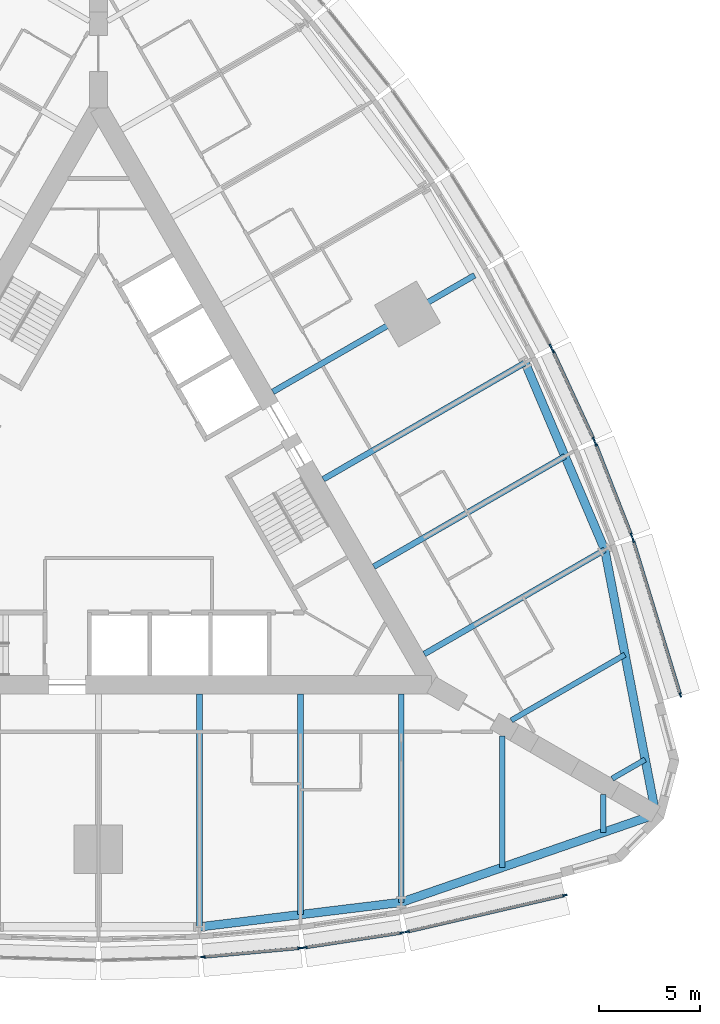
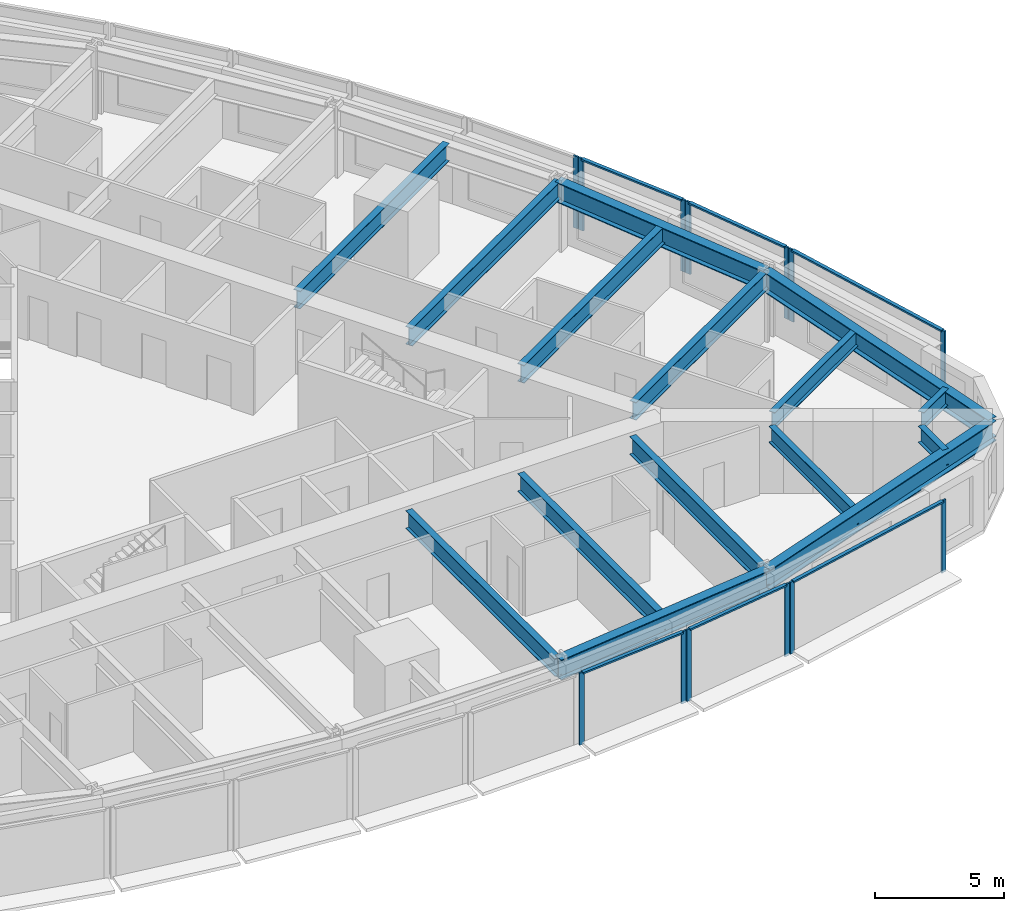
# One storey, part 3 of 14: 19 members, 15 beams, 7 elements without a shape of their own.
"""IFC4 building model written with IfcOpenShell, lengths in metres."""

import ifcopenshell
import ifcopenshell.guid

model = None  # the IFC model being written
_history = None  # IfcOwnerHistory: only IFC2X3 demands one
_inside = {}  # id of a spatial element -> (the spatial element, [elements in it])
_under = {}  # id of a project, library or spatial element -> (it, [spatial elements below it])
_declared = {}  # id of a project -> (the project, [libraries it declares])
_typed = {}  # id of a type object -> (the type object, [elements of that type])
_made_of = {}  # id of a material, layer set ... -> (it, [elements and type objects made of it])


def new_model(schema):
    """Start an empty IFC model of exactly this schema.

    Asked for "IFC4X3", IfcOpenShell would pick the latest addendum, in which some entities
    have other attributes; the version numbers below select the first issue.
    IFC2X3 requires an IfcOwnerHistory on every rooted entity: one is made here for all.
    """
    global model, _history
    if schema == "IFC4X3":
        model = ifcopenshell.file(schema_version=(4, 3, 0, 0))
    else:
        model = ifcopenshell.file(schema=schema)
    _inside.clear()
    _under.clear()
    _declared.clear()
    _typed.clear()
    _made_of.clear()
    _history = None
    if model.schema == "IFC2X3":
        org = make("IfcOrganization", Name="unknown")
        user = make(
            "IfcPersonAndOrganization",
            ThePerson=make("IfcPerson", FamilyName="unknown"),
            TheOrganization=org,
        )
        app = make(
            "IfcApplication",
            ApplicationDeveloper=org,
            Version="unknown",
            ApplicationFullName="unknown",
            ApplicationIdentifier="unknown",
        )
        _history = make(
            "IfcOwnerHistory",
            OwningUser=user,
            OwningApplication=app,
            ChangeAction="ADDED",
            CreationDate=0,
        )
    return model


def make(cls, **values):
    """One entity of the class cls with the attributes given. An attribute that is None is left unset."""
    return model.create_entity(
        cls, **{name: value for name, value in values.items() if value is not None}
    )


def rooted(cls, **values):
    """An entity with a GlobalId (a new one), such as an element, a storey or a relation."""
    return make(cls, GlobalId=ifcopenshell.guid.new(), OwnerHistory=_history, **values)


def si_unit(unit_type, name, prefix=None):
    """IfcSIUnit, for example si_unit("LENGTHUNIT", "METRE", prefix="MILLI")."""
    return make("IfcSIUnit", UnitType=unit_type, Prefix=prefix, Name=name)


def assignment(units):
    """IfcUnitAssignment: the units of a project."""
    return None if units is None else make("IfcUnitAssignment", Units=units)


def point(xyz):
    """IfcCartesianPoint."""
    return None if xyz is None else make("IfcCartesianPoint", Coordinates=xyz)


def direction(xyz):
    """IfcDirection."""
    return None if xyz is None else make("IfcDirection", DirectionRatios=xyz)


def frame(location, z_axis=None, x_axis=None):
    """IfcAxis2Placement3D, a coordinate frame: its origin and axes. An axis left out is left unset."""
    return make(
        "IfcAxis2Placement3D",
        Location=point(location),
        Axis=direction(z_axis),
        RefDirection=direction(x_axis),
    )


def frame_2d(location, x_axis=None):
    """IfcAxis2Placement2D, a coordinate frame in the plane: its origin and x axis."""
    return make(
        "IfcAxis2Placement2D", Location=point(location), RefDirection=direction(x_axis)
    )


def origin():
    """The frame at (0, 0, 0) with its axes left unset."""
    return frame((0.0, 0.0, 0.0))


def origin_2d():
    """The frame at (0, 0) in the plane with its x axis left unset."""
    return frame_2d((0.0, 0.0))


def place(relative_to, where):
    """IfcLocalPlacement: puts the frame where relative to a parent placement (None: the world)."""
    return make(
        "IfcLocalPlacement", PlacementRelTo=relative_to, RelativePlacement=where
    )


def context(
    kind, dimensions, precision=None, world=None, true_north=None, identifier=None
):
    """IfcGeometricRepresentationContext, for example the 3D "Model" context."""
    return make(
        "IfcGeometricRepresentationContext",
        ContextIdentifier=identifier,
        ContextType=kind,
        CoordinateSpaceDimension=dimensions,
        Precision=precision,
        WorldCoordinateSystem=world,
        TrueNorth=true_north,
    )


def subcontext(parent, identifier, kind, view, scale=None):
    """IfcGeometricRepresentationSubContext, for example "Body" below "Model"."""
    return make(
        "IfcGeometricRepresentationSubContext",
        ContextIdentifier=identifier,
        ContextType=kind,
        ParentContext=parent,
        TargetScale=scale,
        TargetView=view,
    )


def project(units=None, contexts=None):
    """IfcProject with its units and contexts."""
    return rooted(
        "IfcProject",
        Name="project",
        RepresentationContexts=contexts,
        UnitsInContext=assignment(units),
    )


def spatial(cls, under=None, at=None, **own):
    """A site, building, storey or space (cls), placed at a placement, below another one or the project."""
    s = rooted(cls, ObjectPlacement=at, **own)
    if under is not None:
        _under.setdefault(under.id(), (under, []))[1].append(s)
    return s


def profile(cls, at=None, kind="AREA", **sizes):
    """A parametric profile (cls). Its sizes go by their IFC names, for example OverallWidth=200.0."""
    return make(cls, ProfileType=kind, Position=at, **sizes)


def rectangle(**sizes):
    """IfcRectangleProfileDef."""
    return profile("IfcRectangleProfileDef", **sizes)


def i_section(**sizes):
    """IfcIShapeProfileDef."""
    return profile("IfcIShapeProfileDef", **sizes)


def extrude(swept, where, along, depth):
    """IfcExtrudedAreaSolid: the profile swept, set in the frame where, extruded along a direction by depth."""
    return make(
        "IfcExtrudedAreaSolid",
        SweptArea=swept,
        Position=where,
        ExtrudedDirection=direction(along),
        Depth=depth,
    )


def shape(context_of_items, identifier, shape_type, items):
    """IfcShapeRepresentation: the items that make up one representation, for example the "Body"."""
    return make(
        "IfcShapeRepresentation",
        ContextOfItems=context_of_items,
        RepresentationIdentifier=identifier,
        RepresentationType=shape_type,
        Items=items,
    )


def material(Name=None, Category=None):
    """IfcMaterial."""
    return make("IfcMaterial", Name=Name, Category=Category)


def material_profile(
    of_material, cross_section, Name=None, Category=None, Priority=None
):
    """IfcMaterialProfile: a cross section and its material."""
    return make(
        "IfcMaterialProfile",
        Name=Name,
        Material=of_material,
        Profile=cross_section,
        Priority=Priority,
        Category=Category,
    )


def profile_set(profiles, Name=None, composite=None):
    """IfcMaterialProfileSet."""
    return make(
        "IfcMaterialProfileSet",
        Name=Name,
        MaterialProfiles=profiles,
        CompositeProfile=composite,
    )


def made_of(thing, what):
    """Note that an element or type object is made of a material, layer set ...; save() writes the relation."""
    if what is not None:
        _made_of.setdefault(what.id(), (what, []))[1].append(thing)
    return thing


def type_object(cls, material=None, **own):
    """A type object (cls), such as IfcWallType, which elements share."""
    return made_of(rooted(cls, **own), material)


def element(
    cls,
    number,
    at=None,
    inside=None,
    cuts=None,
    type_object=None,
    material=None,
    context=None,
    identifier="Body",
    shape_type=None,
    held_by="IfcProductDefinitionShape",
    body=None,
    shapes=None,
    **own,
):
    """One element of the class cls, such as IfcWall. Its Tag is "e" and its number.

    at: its placement. inside: the storey or other place that contains it. cuts: it is an
    opening in that element (IfcRelVoidsElement). A single representation is given by context,
    identifier, shape_type and body (its items); several are given by shapes. held_by: the class
    of the entity that holds the representations. save() writes the other relations.
    """
    e = rooted(cls, Tag="e%d" % number, ObjectPlacement=at, **own)
    if body is not None:
        shapes = [shape(context, identifier, shape_type, body)]
    if shapes is not None:
        e.Representation = make(held_by, Representations=shapes)
    if inside is not None:
        _inside.setdefault(inside.id(), (inside, []))[1].append(e)
    if cuts is not None:
        rooted(
            "IfcRelVoidsElement", RelatingBuildingElement=cuts, RelatedOpeningElement=e
        )
    if type_object is not None:
        _typed.setdefault(type_object.id(), (type_object, []))[1].append(e)
    return made_of(e, material)


def aggregate(whole, parts):
    """IfcRelAggregates: a whole, such as a stair, and the parts it consists of."""
    return rooted("IfcRelAggregates", RelatingObject=whole, RelatedObjects=parts)


def save(model, path):
    """Write the relations noted so far, then the file.

    IfcRelAggregates (storeys below a building ...), IfcRelContainedInSpatialStructure (elements
    in a storey), IfcRelDefinesByType, IfcRelAssociatesMaterial and IfcRelDeclares: one each for
    every whole, place, type object, material and project.
    """
    for whole, parts in _under.values():
        aggregate(whole, parts)
    for where, things in _inside.values():
        rooted(
            "IfcRelContainedInSpatialStructure",
            RelatedElements=things,
            RelatingStructure=where,
        )
    for kind, things in _typed.values():
        rooted("IfcRelDefinesByType", RelatedObjects=things, RelatingType=kind)
    for what, things in _made_of.values():
        rooted("IfcRelAssociatesMaterial", RelatedObjects=things, RelatingMaterial=what)
    for by, libraries in _declared.values():
        rooted("IfcRelDeclares", RelatingContext=by, RelatedDefinitions=libraries)
    model.write(path)


model = new_model("IFC4")

# Units and contexts
model_context = context("Model", 3, precision=1e-05, world=origin(), true_north=direction((0.0, 1.0)))
body_context = subcontext(model_context, "Body", "Model", "MODEL_VIEW")
ifc_project = project(units=[si_unit("LENGTHUNIT", "METRE"), si_unit("AREAUNIT", "SQUARE_METRE"), si_unit("VOLUMEUNIT", "CUBIC_METRE"), si_unit("PLANEANGLEUNIT", "RADIAN"), si_unit("MASSUNIT", "GRAM", prefix="KILO")], contexts=[model_context])

# Site, building, storey
site_placement = place(None, origin())
site = spatial("IfcSite", under=ifc_project, at=site_placement, CompositionType="ELEMENT")
building_placement = place(site_placement, origin())
building = spatial("IfcBuilding", under=site, at=building_placement, Name="Trikona Tower", CompositionType="ELEMENT")
storey_placement = place(building_placement, frame((0.0, 0.0, 45.5)))
storey = spatial("IfcBuildingStorey", under=building, at=storey_placement, Name="L10", CompositionType="ELEMENT", Elevation=45.5)

# Curtain wall, members
ifc_material_1 = material(Name="Aluminium curtain wall system", Category="aluminium")
curtain_wall_type = type_object("IfcCurtainWallType", Name="Curtain wall DS1", PredefinedType="NOTDEFINED", material=ifc_material_1)
curtain_wall_1_placement = place(storey_placement, origin())
curtain_wall_1 = element("IfcCurtainWall", 1, at=curtain_wall_1_placement, inside=storey, type_object=curtain_wall_type, Name="Curtain wall DS1 L10", PredefinedType="NOTDEFINED")
ifc_material_2 = material(Name="Aluminium mullion, pale anodised", Category="aluminium")
ifc_material_profile_1 = material_profile(ifc_material_2, rectangle(XDim=0.080078125, YDim=0.219970703125, at=origin_2d()), Name="MUL-DS1")
ifc_profile_set_1 = profile_set([ifc_material_profile_1], Name="Aluminium mullion, pale anodised")
member_type_1 = type_object("IfcMemberType", Name="Mullion DS1 80x220", PredefinedType="MULLION", material=ifc_profile_set_1)
member_1_placement = place(storey_placement, frame((5.181396484375, -23.007568359375, 0.0), z_axis=(0.0, 0.0, 1.0), x_axis=(-0.090923932737, 0.995857840485, 0.0)))
member_1 = element("IfcMember", 2, at=member_1_placement, type_object=member_type_1, Name="CW-DS1 mullion 1", PredefinedType="MULLION", context=body_context, shape_type="SweptSolid", body=[
    extrude(rectangle(XDim=0.080078125, YDim=0.219970703125, at=origin_2d()), origin(), (0.0, 0.0, 1.0), 3.39990234375),
])
member_2_placement = place(storey_placement, frame((9.982177734375, -22.5693359375, 0.0), z_axis=(0.0, 0.0, 1.0), x_axis=(-0.090923932737, 0.995857840485, 0.0)))
member_2 = element("IfcMember", 3, at=member_2_placement, type_object=member_type_1, Name="CW-DS1 mullion 2", PredefinedType="MULLION", context=body_context, shape_type="SweptSolid", body=[
    extrude(rectangle(XDim=0.080078125, YDim=0.219970703125, at=origin_2d()), origin(), (0.0, 0.0, 1.0), 3.39990234375),
])

curtain_wall_2_placement = place(storey_placement, origin())
curtain_wall_2 = element("IfcCurtainWall", 4, at=curtain_wall_2_placement, inside=storey, type_object=curtain_wall_type, Name="Curtain wall DS1 L10", PredefinedType="NOTDEFINED")
member_3_placement = place(storey_placement, frame((10.234130859375, -22.53857421875, 0.0), z_axis=(0.0, 0.0, 1.0), x_axis=(-0.150437693845, 0.988619492156, 0.0)))
member_3 = element("IfcMember", 5, at=member_3_placement, type_object=member_type_1, Name="CW-DS1 mullion 1", PredefinedType="MULLION", context=body_context, shape_type="SweptSolid", body=[
    extrude(rectangle(XDim=0.080078125, YDim=0.219970703125, at=origin_2d()), origin(), (0.0, 0.0, 1.0), 3.39990234375),
])
member_4_placement = place(storey_placement, frame((15.03662109375, -21.807861328125, 0.0), z_axis=(0.0, 0.0, 1.0), x_axis=(-0.150437693845, 0.988619492156, 0.0)))
member_4 = element("IfcMember", 6, at=member_4_placement, type_object=member_type_1, Name="CW-DS1 mullion 2", PredefinedType="MULLION", context=body_context, shape_type="SweptSolid", body=[
    extrude(rectangle(XDim=0.080078125, YDim=0.219970703125, at=origin_2d()), origin(), (0.0, 0.0, 1.0), 3.39990234375),
])

curtain_wall_3_placement = place(storey_placement, origin())
curtain_wall_3 = element("IfcCurtainWall", 7, at=curtain_wall_3_placement, inside=storey, type_object=curtain_wall_type, Name="Curtain wall DS1 L10", PredefinedType="NOTDEFINED")
member_5_placement = place(storey_placement, frame((15.30029296875, -21.75732421875, 0.0), z_axis=(0.0, 0.0, 1.0), x_axis=(-0.225343288756, 0.974279427173, 0.0)))
member_5 = element("IfcMember", 8, at=member_5_placement, type_object=member_type_1, Name="CW-DS1 mullion 1", PredefinedType="MULLION", context=body_context, shape_type="SweptSolid", body=[
    extrude(rectangle(XDim=0.080078125, YDim=0.219970703125, at=origin_2d()), origin(), (0.0, 0.0, 1.0), 3.39990234375),
])
member_6_placement = place(storey_placement, frame((23.10546875, -19.951904296875, 0.0), z_axis=(0.0, 0.0, 1.0), x_axis=(-0.225343288756, 0.974279427173, 0.0)))
member_6 = element("IfcMember", 9, at=member_6_placement, type_object=member_type_1, Name="CW-DS1 mullion 2", PredefinedType="MULLION", context=body_context, shape_type="SweptSolid", body=[
    extrude(rectangle(XDim=0.080078125, YDim=0.219970703125, at=origin_2d()), origin(), (0.0, 0.0, 1.0), 3.39990234375),
])

curtain_wall_4_placement = place(storey_placement, origin())
curtain_wall_4 = element("IfcCurtainWall", 10, at=curtain_wall_4_placement, inside=storey, type_object=curtain_wall_type, Name="Curtain wall DS1 L10", PredefinedType="NOTDEFINED")
member_7_placement = place(storey_placement, frame((28.83154296875, -10.033935546875, 0.0), z_axis=(0.0, 0.0, 1.0), x_axis=(-0.956423115383, -0.291984287868, 0.0)))
member_7 = element("IfcMember", 11, at=member_7_placement, type_object=member_type_1, Name="CW-DS1 mullion 1", PredefinedType="MULLION", context=body_context, shape_type="SweptSolid", body=[
    extrude(rectangle(XDim=0.080078125, YDim=0.219970703125, at=origin_2d()), origin(), (0.0, 0.0, 1.0), 3.39990234375),
])
member_8_placement = place(storey_placement, frame((26.492431640625, -2.371826171875, 0.0), z_axis=(0.0, 0.0, 1.0), x_axis=(-0.956423115383, -0.291984287868, 0.0)))
member_8 = element("IfcMember", 12, at=member_8_placement, type_object=member_type_1, Name="CW-DS1 mullion 2", PredefinedType="MULLION", context=body_context, shape_type="SweptSolid", body=[
    extrude(rectangle(XDim=0.080078125, YDim=0.219970703125, at=origin_2d()), origin(), (0.0, 0.0, 1.0), 3.39990234375),
])

curtain_wall_5_placement = place(storey_placement, origin())
curtain_wall_5 = element("IfcCurtainWall", 13, at=curtain_wall_5_placement, inside=storey, type_object=curtain_wall_type, Name="Curtain wall DS1 L10", PredefinedType="NOTDEFINED")
member_9_placement = place(storey_placement, frame((26.404296875, -2.1181640625, 0.0), z_axis=(0.0, 0.0, 1.0), x_axis=(-0.931395989443, -0.36400756977, 0.0)))
member_9 = element("IfcMember", 14, at=member_9_placement, type_object=member_type_1, Name="CW-DS1 mullion 1", PredefinedType="MULLION", context=body_context, shape_type="SweptSolid", body=[
    extrude(rectangle(XDim=0.080078125, YDim=0.219970703125, at=origin_2d()), origin(), (0.0, 0.0, 1.0), 3.39990234375),
])
member_10_placement = place(storey_placement, frame((24.63623046875, 2.40625, 0.0), z_axis=(0.0, 0.0, 1.0), x_axis=(-0.931395989443, -0.36400756977, 0.0)))
member_10 = element("IfcMember", 15, at=member_10_placement, type_object=member_type_1, Name="CW-DS1 mullion 2", PredefinedType="MULLION", context=body_context, shape_type="SweptSolid", body=[
    extrude(rectangle(XDim=0.080078125, YDim=0.219970703125, at=origin_2d()), origin(), (0.0, 0.0, 1.0), 3.39990234375),
])

curtain_wall_6_placement = place(storey_placement, origin())
curtain_wall_6 = element("IfcCurtainWall", 16, at=curtain_wall_6_placement, inside=storey, type_object=curtain_wall_type, Name="Curtain wall DS1 L10", PredefinedType="NOTDEFINED")
member_11_placement = place(storey_placement, frame((24.53662109375, 2.6396484375, 0.0), z_axis=(0.0, 0.0, 1.0), x_axis=(-0.907898459992, -0.419190155352, 0.0)))
member_11 = element("IfcMember", 17, at=member_11_placement, type_object=member_type_1, Name="CW-DS1 mullion 1", PredefinedType="MULLION", context=body_context, shape_type="SweptSolid", body=[
    extrude(rectangle(XDim=0.080078125, YDim=0.219970703125, at=origin_2d()), origin(), (0.0, 0.0, 1.0), 3.39990234375),
])
member_12_placement = place(storey_placement, frame((22.515869140625, 7.0166015625, 0.0), z_axis=(0.0, 0.0, 1.0), x_axis=(-0.907898459992, -0.419190155352, 0.0)))
member_12 = element("IfcMember", 18, at=member_12_placement, type_object=member_type_1, Name="CW-DS1 mullion 2", PredefinedType="MULLION", context=body_context, shape_type="SweptSolid", body=[
    extrude(rectangle(XDim=0.080078125, YDim=0.219970703125, at=origin_2d()), origin(), (0.0, 0.0, 1.0), 3.39990234375),
])

# Curtain wall, member
curtain_wall_7_placement = place(storey_placement, origin())
curtain_wall_7 = element("IfcCurtainWall", 19, at=curtain_wall_7_placement, inside=storey, type_object=curtain_wall_type, Name="Curtain wall DS1 L10", PredefinedType="NOTDEFINED")
member_13_placement = place(storey_placement, frame((22.402099609375, 7.244140625, 0.0), z_axis=(0.0, 0.0, 1.0), x_axis=(-0.880843080975, -0.473408350896, 0.0)))
member_13 = element("IfcMember", 20, at=member_13_placement, type_object=member_type_1, Name="CW-DS1 mullion 1", PredefinedType="MULLION", context=body_context, shape_type="SweptSolid", body=[
    extrude(rectangle(XDim=0.080078125, YDim=0.219970703125, at=origin_2d()), origin(), (0.0, 0.0, 1.0), 3.39990234375),
])
aggregate(curtain_wall_7, [member_13])

# Beams
ifc_material_3 = material(Name="Steel ASTM A992 Grade 50", Category="steel")
ifc_material_profile_2 = material_profile(ifc_material_3, i_section(OverallWidth=0.2666015625, OverallDepth=0.76953125, WebThickness=0.015625, FlangeThickness=0.025390625, at=origin_2d()), Name="W30X132")
ifc_profile_set_2 = profile_set([ifc_material_profile_2], Name="Steel ASTM A992 Grade 50")
beam_type_1 = type_object("IfcBeamType", Name="Steel beam W30x132 (wedge)", PredefinedType="BEAM", material=ifc_profile_set_2)
beam_1_placement = place(storey_placement, frame((20.0, -12.066650390625, 2.85009765625), z_axis=(0.0, -1.0, 0.0), x_axis=(1.0, 0.0, 0.0)))
element("IfcBeam", 21, at=beam_1_placement, inside=storey, type_object=beam_type_1, Name="Floor beam L11 F1 u20", PredefinedType="BEAM", context=body_context, shape_type="SweptSolid", body=[
    extrude(i_section(OverallWidth=0.2666015625, OverallDepth=0.76953125, WebThickness=0.015625, FlangeThickness=0.025390625, at=origin_2d()), origin(), (0.0, 0.0, 1.0), 6.5068359375),
])
for number, where, z_axis, x_axis, name in (
    (22, (25.0, -14.953369140625, 2.85009765625), (0.0, -1.0, 0.0), (1.0, 0.0, 0.0), "Floor beam L11 F1 u25"),
    (23, (25.449951171875, -14.173828125, 2.85009765625), (0.866065156741, 0.499931139538, 0.0), (-0.499931139538, 0.866065156741, 0.0), "Floor beam L11 F2 u-25"),
):
    element("IfcBeam", number, at=place(storey_placement, frame(where, z_axis=z_axis, x_axis=x_axis)), inside=storey, type_object=beam_type_1, Name=name, PredefinedType="BEAM", context=body_context, shape_type="SweptSolid", body=[
        extrude(i_section(OverallWidth=0.2666015625, OverallDepth=0.76953125, WebThickness=0.015625, FlangeThickness=0.025390625, at=origin_2d()), origin(), (0.0, 0.0, 1.0), 1.890380859375),
    ])
beam_2_placement = place(storey_placement, frame((20.449951171875, -11.287109375, 2.85009765625), z_axis=(0.866022504693, 0.50000502134, 0.0), x_axis=(-0.50000502134, 0.866022504693, 0.0)))
element("IfcBeam", 24, at=beam_2_placement, inside=storey, type_object=beam_type_1, Name="Floor beam L11 F2 u-20", PredefinedType="BEAM", context=body_context, shape_type="SweptSolid", body=[
    extrude(i_section(OverallWidth=0.2666015625, OverallDepth=0.76953125, WebThickness=0.015625, FlangeThickness=0.025390625, at=origin_2d()), origin(), (0.0, 0.0, 1.0), 6.5068359375),
])
ifc_material_4 = material(Name="Steel ASTM A992 Grade 50", Category="steel")
ifc_material_profile_3 = material_profile(ifc_material_4, i_section(OverallWidth=0.2919921875, OverallDepth=0.845703125, WebThickness=0.015380859375, FlangeThickness=0.0244140625, at=origin_2d()), Name="W33X141")
ifc_profile_set_3 = profile_set([ifc_material_profile_3], Name="Steel ASTM A992 Grade 50")
beam_type_2 = type_object("IfcBeamType", Name="Steel beam W33x141 (radial typ)", PredefinedType="BEAM", material=ifc_profile_set_3)
beam_3_placement = place(storey_placement, frame((5.0, -9.976318359375, 2.81201171875), z_axis=(0.0, -1.0, 0.0), x_axis=(1.0, 0.0, 0.0)))
element("IfcBeam", 25, at=beam_3_placement, inside=storey, type_object=beam_type_2, Name="Floor beam L11 F1 u5", PredefinedType="BEAM", context=body_context, shape_type="SweptSolid", body=[
    extrude(i_section(OverallWidth=0.2919921875, OverallDepth=0.845703125, WebThickness=0.015380859375, FlangeThickness=0.0244140625, at=origin_2d()), origin(), (0.0, 0.0, 1.0), 11.544189453125),
])
beam_4_placement = place(storey_placement, frame((10.0, -9.976318359375, 2.81201171875), z_axis=(0.0, -1.0, 0.0), x_axis=(1.0, 0.0, 0.0)))
element("IfcBeam", 26, at=beam_4_placement, inside=storey, type_object=beam_type_2, Name="Floor beam L11 F1 u10", PredefinedType="BEAM", context=body_context, shape_type="SweptSolid", body=[
    extrude(i_section(OverallWidth=0.2919921875, OverallDepth=0.845703125, WebThickness=0.015380859375, FlangeThickness=0.0244140625, at=origin_2d()), origin(), (0.0, 0.0, 1.0), 10.935302734375),
])
beam_5_placement = place(storey_placement, frame((15.0, -9.976318359375, 2.81201171875), z_axis=(0.0, -1.0, 0.0), x_axis=(1.0, 0.0, 0.0)))
element("IfcBeam", 27, at=beam_5_placement, inside=storey, type_object=beam_type_2, Name="Floor beam L11 F1 u15", PredefinedType="BEAM", context=body_context, shape_type="SweptSolid", body=[
    extrude(i_section(OverallWidth=0.2919921875, OverallDepth=0.845703125, WebThickness=0.015380859375, FlangeThickness=0.0244140625, at=origin_2d()), origin(), (0.0, 0.0, 1.0), 10.32666015625),
])
beam_6_placement = place(storey_placement, frame((16.1396484375, -8.002197265625, 2.81201171875), z_axis=(0.866030471684, 0.499991222037, 0.0), x_axis=(-0.499991222037, 0.866030471684, 0.0)))
element("IfcBeam", 28, at=beam_6_placement, inside=storey, type_object=beam_type_2, Name="Floor beam L11 F2 u-15", PredefinedType="BEAM", context=body_context, shape_type="SweptSolid", body=[
    extrude(i_section(OverallWidth=0.2919921875, OverallDepth=0.845703125, WebThickness=0.015380859375, FlangeThickness=0.0244140625, at=origin_2d()), origin(), (0.0, 0.0, 1.0), 10.326904296875),
])
beam_7_placement = place(storey_placement, frame((13.6396484375, -3.672119140625, 2.81201171875), z_axis=(0.866025348605, 0.500000095573, 0.0), x_axis=(-0.500000095573, 0.866025348605, 0.0)))
element("IfcBeam", 29, at=beam_7_placement, inside=storey, type_object=beam_type_2, Name="Floor beam L11 F2 u-10", PredefinedType="BEAM", context=body_context, shape_type="SweptSolid", body=[
    extrude(i_section(OverallWidth=0.2919921875, OverallDepth=0.845703125, WebThickness=0.015380859375, FlangeThickness=0.0244140625, at=origin_2d()), origin(), (0.0, 0.0, 1.0), 10.935546875),
])
for number, where, z_axis, x_axis, name in (
    (30, (11.1396484375, 0.657958984375, 2.81201171875), (0.866020765707, 0.500008033299, 0.0), (-0.500008033299, 0.866020765707, 0.0), "Floor beam L11 F2 u-5"),
    (31, (8.6396484375, 4.988037109375, 2.81201171875), (0.866020765707, 0.500008033299, 0.0), (-0.500008033299, 0.866020765707, 0.0), "Floor beam L11 F2 u0"),
):
    element("IfcBeam", number, at=place(storey_placement, frame(where, z_axis=z_axis, x_axis=x_axis)), inside=storey, type_object=beam_type_2, Name=name, PredefinedType="BEAM", context=body_context, shape_type="SweptSolid", body=[
        extrude(i_section(OverallWidth=0.2919921875, OverallDepth=0.845703125, WebThickness=0.015380859375, FlangeThickness=0.0244140625, at=origin_2d()), origin(), (0.0, 0.0, 1.0), 11.544189453125),
    ])
ifc_material_5 = material(Name="Steel ASTM A992 Grade 50", Category="steel")
ifc_material_profile_4 = material_profile(ifc_material_5, i_section(OverallWidth=0.424072265625, OverallDepth=0.947509765625, WebThickness=0.02392578125, FlangeThickness=0.042724609375, at=origin_2d()), Name="W36X302")
ifc_profile_set_4 = profile_set([ifc_material_profile_4], Name="Steel ASTM A992 Grade 50")
beam_type_3 = type_object("IfcBeamType", Name="Steel beam W36x302 (spandrel)", PredefinedType="SPANDREL", material=ifc_profile_set_4)
beam_8_placement = place(storey_placement, frame((5.0, -21.5205078125, 2.76123046875), z_axis=(0.99266951126, 0.120860421207, 0.0), x_axis=(-0.120860421207, 0.99266951126, 0.0)))
element("IfcBeam", 32, at=beam_8_placement, inside=storey, type_object=beam_type_3, Name="Spandrel beam L11 F1-4", PredefinedType="SPANDREL", context=body_context, shape_type="SweptSolid", body=[
    extrude(i_section(OverallWidth=0.424072265625, OverallDepth=0.947509765625, WebThickness=0.02392578125, FlangeThickness=0.042724609375, at=origin_2d()), origin(), (0.0, 0.0, 1.0), 10.07373046875),
])
for number, where, z_axis, x_axis, name in (
    (33, (15.0, -20.302978515625, 2.76123046875), (0.945056965739, 0.326905692071, 0.0), (-0.326905692071, 0.945056965739, 0.0), "Spandrel beam L11 F1-5"),
    (34, (27.6103515625, -15.94091796875, 2.76123046875), (-0.189405184036, 0.981899015307, 0.0), (-0.981899015307, -0.189405184036, 0.0), "Spandrel beam L11 F2-1"),
):
    element("IfcBeam", number, at=place(storey_placement, frame(where, z_axis=z_axis, x_axis=x_axis)), inside=storey, type_object=beam_type_3, Name=name, PredefinedType="SPANDREL", context=body_context, shape_type="SweptSolid", body=[
        extrude(i_section(OverallWidth=0.424072265625, OverallDepth=0.947509765625, WebThickness=0.02392578125, FlangeThickness=0.042724609375, at=origin_2d()), origin(), (0.0, 0.0, 1.0), 13.343505859375),
    ])
beam_9_placement = place(storey_placement, frame((25.0830078125, -2.8388671875, 2.76123046875), z_axis=(-0.391683514847, 0.920100007715, 0.0), x_axis=(-0.920100007715, -0.391683514847, 0.0)))
element("IfcBeam", 35, at=beam_9_placement, inside=storey, type_object=beam_type_3, Name="Spandrel beam L11 F2-2", PredefinedType="SPANDREL", context=body_context, shape_type="SweptSolid", body=[
    extrude(i_section(OverallWidth=0.424072265625, OverallDepth=0.947509765625, WebThickness=0.02392578125, FlangeThickness=0.042724609375, at=origin_2d()), origin(), (0.0, 0.0, 1.0), 10.073974609375),
])

# Member
ifc_material_6 = material(Name="Aluminium transom, pale anodised", Category="aluminium")
ifc_material_profile_5 = material_profile(ifc_material_6, rectangle(XDim=0.159912109375, YDim=0.080078125, at=origin_2d()), Name="TRN-DS1")
ifc_profile_set_5 = profile_set([ifc_material_profile_5], Name="Aluminium transom, pale anodised")
member_type_2 = type_object("IfcMemberType", Name="Transom DS1 80x160", PredefinedType="USERDEFINED", material=ifc_profile_set_5)
member_14_placement = place(storey_placement, frame((5.22119140625, -23.00390625, 3.360107421875), z_axis=(0.995855977008, 0.090944340438, 0.0), x_axis=(-0.090944340438, 0.995855977008, 0.0)))
member_14 = element("IfcMember", 36, at=member_14_placement, type_object=member_type_2, Name="CW-DS1 transom 1.1", ObjectType="TRANSOM", PredefinedType="USERDEFINED", context=body_context, shape_type="SweptSolid", body=[
    extrude(rectangle(XDim=0.159912109375, YDim=0.080078125, at=origin_2d()), origin(), (0.0, 0.0, 1.0), 4.74072265625),
])

aggregate(curtain_wall_1, [member_1, member_2, member_14])

member_15_placement = place(storey_placement, frame((10.273681640625, -22.532470703125, 3.360107421875), z_axis=(0.988619663412, 0.150436568413, 0.0), x_axis=(-0.150436568413, 0.988619663412, 0.0)))
member_15 = element("IfcMember", 37, at=member_15_placement, type_object=member_type_2, Name="CW-DS1 transom 1.1", ObjectType="TRANSOM", PredefinedType="USERDEFINED", context=body_context, shape_type="SweptSolid", body=[
    extrude(rectangle(XDim=0.159912109375, YDim=0.080078125, at=origin_2d()), origin(), (0.0, 0.0, 1.0), 4.77783203125),
])

aggregate(curtain_wall_2, [member_3, member_4, member_15])

member_16_placement = place(storey_placement, frame((15.33935546875, -21.748291015625, 3.360107421875), z_axis=(0.974275371842, 0.225360821398, 0.0), x_axis=(-0.225360821398, 0.974275371842, 0.0)))
member_16 = element("IfcMember", 38, at=member_16_placement, type_object=member_type_2, Name="CW-DS1 transom 1.1", ObjectType="TRANSOM", PredefinedType="USERDEFINED", context=body_context, shape_type="SweptSolid", body=[
    extrude(rectangle(XDim=0.159912109375, YDim=0.080078125, at=origin_2d()), origin(), (0.0, 0.0, 1.0), 7.93115234375),
])

aggregate(curtain_wall_3, [member_5, member_6, member_16])

member_17_placement = place(storey_placement, frame((28.81982421875, -9.99560546875, 3.360107421875), z_axis=(-0.291967490203, 0.956428243343, 0.0), x_axis=(-0.956428243343, -0.291967490203, 0.0)))
member_17 = element("IfcMember", 39, at=member_17_placement, type_object=member_type_2, Name="CW-DS1 transom 1.1", ObjectType="TRANSOM", PredefinedType="USERDEFINED", context=body_context, shape_type="SweptSolid", body=[
    extrude(rectangle(XDim=0.159912109375, YDim=0.080078125, at=origin_2d()), origin(), (0.0, 0.0, 1.0), 7.93115234375),
])

aggregate(curtain_wall_4, [member_7, member_8, member_17])

member_18_placement = place(storey_placement, frame((26.389892578125, -2.080810546875, 3.360107421875), z_axis=(-0.364048647668, 0.931379934362, 0.0), x_axis=(-0.931379934362, -0.364048647668, 0.0)))
member_18 = element("IfcMember", 40, at=member_18_placement, type_object=member_type_2, Name="CW-DS1 transom 1.1", ObjectType="TRANSOM", PredefinedType="USERDEFINED", context=body_context, shape_type="SweptSolid", body=[
    extrude(rectangle(XDim=0.159912109375, YDim=0.080078125, at=origin_2d()), origin(), (0.0, 0.0, 1.0), 4.777587890625),
])

aggregate(curtain_wall_5, [member_9, member_10, member_18])

member_19_placement = place(storey_placement, frame((24.52001953125, 2.676025390625, 3.360107421875), z_axis=(-0.419188800665, 0.90789908547, 0.0), x_axis=(-0.90789908547, -0.419188800665, 0.0)))
member_19 = element("IfcMember", 41, at=member_19_placement, type_object=member_type_2, Name="CW-DS1 transom 1.1", ObjectType="TRANSOM", PredefinedType="USERDEFINED", context=body_context, shape_type="SweptSolid", body=[
    extrude(rectangle(XDim=0.159912109375, YDim=0.080078125, at=origin_2d()), origin(), (0.0, 0.0, 1.0), 4.74072265625),
])

aggregate(curtain_wall_6, [member_11, member_12, member_19])

save(model, "model.ifc")
